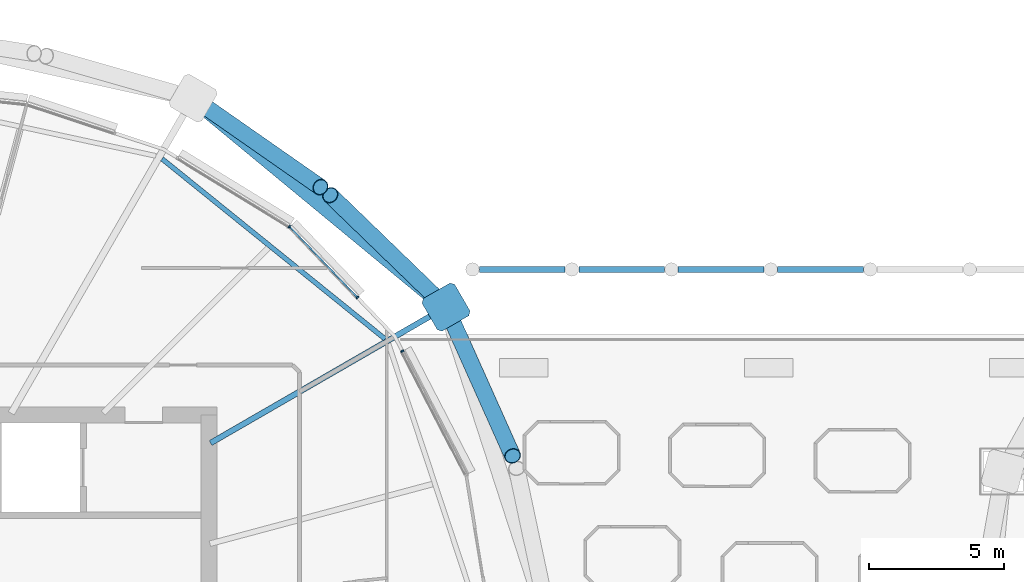
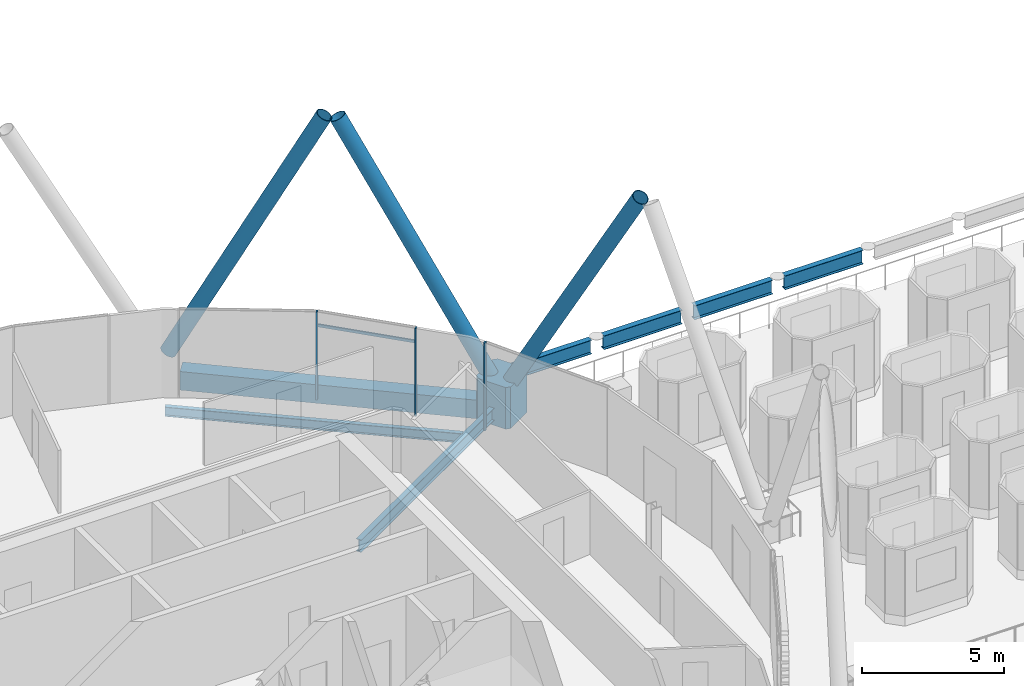
# One storey, part 12 of 38: 8 members, 7 beams, 1 element without a shape of its own.
"""IFC4 building model written with IfcOpenShell, lengths in metres."""

from ifc_helpers import new_model, si_unit, direction, frame, origin, origin_2d, place, context, subcontext, project, spatial, polyline, rectangle, hollow_rectangle, hollow_circle, i_section, outline, extrude, material, material_profile, profile_set, type_object, element, aggregate, save


model = new_model("IFC4")

# Units and contexts
model_context = context("Model", 3, precision=1e-05, world=origin(), true_north=direction((0.0, 1.0)))
body_context = subcontext(model_context, "Body", "Model", "MODEL_VIEW")
ifc_project = project(units=[si_unit("LENGTHUNIT", "METRE"), si_unit("AREAUNIT", "SQUARE_METRE"), si_unit("VOLUMEUNIT", "CUBIC_METRE"), si_unit("PLANEANGLEUNIT", "RADIAN"), si_unit("MASSUNIT", "GRAM", prefix="KILO")], contexts=[model_context])

# Site, building, storey
site_placement = place(None, origin())
site = spatial("IfcSite", under=ifc_project, at=site_placement, CompositionType="ELEMENT")
building_placement = place(site_placement, origin())
building = spatial("IfcBuilding", under=site, at=building_placement, Name="Rimbun Link Towers", CompositionType="ELEMENT")
storey_placement = place(building_placement, frame((0.0, 0.0, 158.89990234375)))
storey = spatial("IfcBuildingStorey", under=building, at=storey_placement, Name="L38", CompositionType="ELEMENT", Elevation=158.89990234375)

# Curtain wall, members
ifc_material_1 = material(Name="Aluminium 6063-T6 and low-iron glass", Category="aluminium")
curtain_wall_type = type_object("IfcCurtainWallType", Name="CW1-Z3 unitised vision wall (zone 3)", PredefinedType="NOTDEFINED", material=ifc_material_1)
curtain_wall_placement = place(storey_placement, origin())
curtain_wall = element("IfcCurtainWall", 1, at=curtain_wall_placement, inside=storey, type_object=curtain_wall_type, Name="CW1 L38 T1", PredefinedType="NOTDEFINED")
ifc_material_2 = material(Name="Aluminium 6063-T6", Category="aluminium")
ifc_material_profile_1 = material_profile(ifc_material_2, rectangle(XDim=0.1201171875, YDim=0.06005859375, at=origin_2d()), Name="MULLION 60X120")
ifc_profile_set_1 = profile_set([ifc_material_profile_1], Name="Aluminium 6063-T6")
member_type_1 = type_object("IfcMemberType", Name="CW1 mullion 60X120", PredefinedType="MULLION", material=ifc_profile_set_1)
member_1_placement = place(storey_placement, frame((-12.580810546875, 10.3720703125, 0.0), z_axis=(0.0, 0.0, 1.0), x_axis=(0.888144396677, 0.459564501078, 0.0)))
member_1 = element("IfcMember", 2, at=member_1_placement, type_object=member_type_1, Name="CW1 mullion", PredefinedType="MULLION", context=body_context, shape_type="SweptSolid", body=[
    extrude(rectangle(XDim=0.1201171875, YDim=0.06005859375, at=origin_2d()), origin(), (0.0, 0.0, 1.0), 3.800048828125),
])
member_2_placement = place(storey_placement, frame((-16.76953125, 14.989501953125, 0.0), z_axis=(0.0, 0.0, 1.0), x_axis=(0.627675785623, 0.778474860315, 0.0)))
member_2 = element("IfcMember", 3, at=member_2_placement, type_object=member_type_1, Name="CW1 mullion", PredefinedType="MULLION", context=body_context, shape_type="SweptSolid", body=[
    extrude(rectangle(XDim=0.1201171875, YDim=0.06005859375, at=origin_2d()), origin(), (0.0, 0.0, 1.0), 3.800048828125),
])
member_3_placement = place(storey_placement, frame((-14.25048828125, 12.362548828125, 0.0), z_axis=(0.0, 0.0, 1.0), x_axis=(0.721847376977, 0.692052284405, 0.0)))
member_3 = element("IfcMember", 4, at=member_3_placement, type_object=member_type_1, Name="CW1 mullion", PredefinedType="MULLION", context=body_context, shape_type="SweptSolid", body=[
    extrude(rectangle(XDim=0.1201171875, YDim=0.06005859375, at=origin_2d()), origin(), (0.0, 0.0, 1.0), 3.800048828125),
])
ifc_material_3 = material(Name="Aluminium 6063-T6", Category="aluminium")
ifc_material_profile_2 = material_profile(ifc_material_3, rectangle(XDim=0.06005859375, YDim=0.1201171875, at=origin_2d()), Name="TRANSOM 60X120")
ifc_profile_set_2 = profile_set([ifc_material_profile_2], Name="Aluminium 6063-T6")
member_type_2 = type_object("IfcMemberType", Name="CW1 transom 60X120", PredefinedType="USERDEFINED", material=ifc_profile_set_2)
member_4_placement = place(storey_placement, frame((-16.74462890625, 14.961181640625, 3.2001953125), z_axis=(0.692049349553, -0.721850190679, 0.0), x_axis=(0.721850190679, 0.692049349553, 0.0)))
member_4 = element("IfcMember", 5, at=member_4_placement, type_object=member_type_2, Name="CW1 transom", ObjectType="TRANSOM", PredefinedType="USERDEFINED", context=body_context, shape_type="SweptSolid", body=[
    extrude(rectangle(XDim=0.06005859375, YDim=0.1201171875, at=origin_2d()), origin(), (0.0, 0.0, 1.0), 3.57177734375),
])
aggregate(curtain_wall, [member_1, member_2, member_3, member_4])

# Members
ifc_material_4 = material(Name="Steel S355J2H", Category="steel")
ifc_material_profile_3 = material_profile(ifc_material_4, hollow_circle(Radius=0.3046875, WallThickness=0.02490234375, at=origin_2d()), Name="Diagrid diagonal CHS 610x25")
ifc_profile_set_3 = profile_set([ifc_material_profile_3], Name="Steel S355J2H")
member_type_3 = type_object("IfcMemberType", Name="Diagrid diagonal CHS 610x25", PredefinedType="BRACE", material=ifc_profile_set_3)
member_5_placement = place(storey_placement, frame((-10.862548828125, 11.781982421875, 0.437744140625), z_axis=(0.197341867555, -0.441089638924, 0.875497640056), x_axis=(0.912808769251, 0.408387255896, 0.0)))
element("IfcMember", 6, at=member_5_placement, inside=storey, type_object=member_type_3, Name="Diagrid diagonal T1 L38-L41 02a", PredefinedType="BRACE", context=body_context, shape_type="SweptSolid", body=[
    extrude(hollow_circle(Radius=0.3046875, WallThickness=0.02490234375, at=origin_2d()), origin(), (0.0, 0.0, 1.0), 12.021240234375),
])
member_6_placement = place(storey_placement, frame((-11.13330078125, 12.168701171875, 0.439208984375), z_axis=(-0.344019842918, 0.332712783056, 0.878039037668), x_axis=(-0.695195189217, -0.718821013111, 0.0)))
element("IfcMember", 7, at=member_6_placement, inside=storey, type_object=member_type_3, Name="Diagrid diagonal T1 L38-L41 02b", PredefinedType="BRACE", context=body_context, shape_type="SweptSolid", body=[
    extrude(hollow_circle(Radius=0.3046875, WallThickness=0.02490234375, at=origin_2d()), origin(), (0.0, 0.0, 1.0), 11.9833984375),
])
member_7_placement = place(storey_placement, frame((-20.154052734375, 19.620849609375, 0.442626953125), z_axis=(0.381742033735, -0.266440609862, 0.885032440703), x_axis=(0.572339011278, 0.820017107242, 0.0)))
element("IfcMember", 8, at=member_7_placement, inside=storey, type_object=member_type_3, Name="Diagrid diagonal T1 L38-L41 04a", PredefinedType="BRACE", context=body_context, shape_type="SweptSolid", body=[
    extrude(hollow_circle(Radius=0.3046875, WallThickness=0.02490234375, at=origin_2d()), origin(), (0.0, 0.0, 1.0), 11.880859375),
])
ifc_material_5 = material(Name="Cast steel G20Mn5+QT, Rp0.2 300 MPa", Category="steel")
ifc_material_profile_4 = material_profile(ifc_material_5, outline(polyline([(0.699951171875, -0.570068359375), (0.699951171875, 0.570068359375), (0.570068359375, 0.699951171875), (-0.570068359375, 0.699951171875), (-0.699951171875, 0.570068359375), (-0.699951171875, -0.570068359375), (-0.570068359375, -0.699951171875), (0.570068359375, -0.699951171875), (0.699951171875, -0.570068359375)])), Name="NODE 1400x1400")
ifc_profile_set_4 = profile_set([ifc_material_profile_4], Name="Cast steel G20Mn5+QT, Rp0.2 300 MPa")
member_type_4 = type_object("IfcMemberType", Name="Diagrid node cast 1400", PredefinedType="USERDEFINED", material=ifc_profile_set_4)
member_8_placement = place(storey_placement, frame((-10.961181640625, 12.00244140625, -0.89990234375), z_axis=(0.0, 0.0, 1.0), x_axis=(0.866025403784, 0.5, 0.0)))
element("IfcMember", 9, at=member_8_placement, inside=storey, type_object=member_type_4, Name="Diagrid node L38 02", ObjectType="Diagrid node", PredefinedType="USERDEFINED", context=body_context, shape_type="SweptSolid", body=[
    extrude(outline(polyline([(0.699951171875, -0.570068359375), (0.699951171875, 0.570068359375), (0.570068359375, 0.699951171875), (-0.570068359375, 0.699951171875), (-0.699951171875, 0.570068359375), (-0.699951171875, -0.570068359375), (-0.570068359375, -0.699951171875), (0.570068359375, -0.699951171875), (0.699951171875, -0.570068359375)])), origin(), (0.0, 0.0, 1.0), 1.800048828125),
])

# Beams
ifc_material_6 = material(Name="Steel S355J2", Category="steel")
ifc_material_profile_5 = material_profile(ifc_material_6, hollow_rectangle(XDim=0.60009765625, YDim=0.800048828125, WallThickness=0.0400390625, at=origin_2d()), Name="Exoskeleton ring girder BOX 600x800x40")
ifc_profile_set_5 = profile_set([ifc_material_profile_5], Name="Steel S355J2")
beam_type_1 = type_object("IfcBeamType", Name="Exoskeleton ring girder BOX 600x800x40", PredefinedType="BEAM", material=ifc_profile_set_5)
beam_1_placement = place(storey_placement, frame((-11.5009765625, 12.4482421875, -0.559814453125), z_axis=(-0.770956428944, 0.636887890189, 0.0), x_axis=(-0.636887890189, -0.770956428944, 0.0)))
element("IfcBeam", 10, at=beam_1_placement, inside=storey, type_object=beam_type_1, Name="Exoskeleton ring girder L38 01", PredefinedType="BEAM", context=body_context, shape_type="SweptSolid", body=[
    extrude(hollow_rectangle(XDim=0.60009765625, YDim=0.800048828125, WallThickness=0.0400390625, at=origin_2d()), origin(), (0.0, 0.0, 1.0), 10.771240234375),
])
ifc_material_7 = material(Name="Steel S355J2", Category="steel")
ifc_material_profile_6 = material_profile(ifc_material_7, i_section(OverallWidth=0.2275390625, OverallDepth=0.6025390625, WebThickness=0.010498046875, FlangeThickness=0.014892578125, at=origin_2d()), Name="UB 610x229x101")
ifc_profile_set_6 = profile_set([ifc_material_profile_6], Name="Steel S355J2")
beam_type_2 = type_object("IfcBeamType", Name="Link megaframe ring beam UB 610x229x101", PredefinedType="BEAM", material=ifc_profile_set_6)
beam_2_placement = place(storey_placement, frame((-9.72412109375, 13.39990234375, -0.30126953125), z_axis=(1.0, 0.0, 0.0), x_axis=(0.0, 1.0, 0.0)))
element("IfcBeam", 11, at=beam_2_placement, inside=storey, type_object=beam_type_2, Name="Link megaframe ring beam N0-1 L38", PredefinedType="BEAM", context=body_context, shape_type="SweptSolid", body=[
    extrude(i_section(OverallWidth=0.2275390625, OverallDepth=0.6025390625, WebThickness=0.010498046875, FlangeThickness=0.014892578125, at=origin_2d()), origin(), (0.0, 0.0, 1.0), 3.18212890625),
])
beam_3_placement = place(storey_placement, frame((-6.0341796875, 13.39990234375, -0.30126953125), z_axis=(1.0, 0.0, 0.0), x_axis=(0.0, 1.0, 0.0)))
element("IfcBeam", 12, at=beam_3_placement, inside=storey, type_object=beam_type_2, Name="Link megaframe ring beam N1-2 L38", PredefinedType="BEAM", context=body_context, shape_type="SweptSolid", body=[
    extrude(i_section(OverallWidth=0.2275390625, OverallDepth=0.6025390625, WebThickness=0.010498046875, FlangeThickness=0.014892578125, at=origin_2d()), origin(), (0.0, 0.0, 1.0), 3.181884765625),
])
beam_4_placement = place(storey_placement, frame((-2.34423828125, 13.39990234375, -0.30126953125), z_axis=(1.0, 0.0, 0.0), x_axis=(0.0, 1.0, 0.0)))
element("IfcBeam", 13, at=beam_4_placement, inside=storey, type_object=beam_type_2, Name="Link megaframe ring beam N2-3 L38", PredefinedType="BEAM", context=body_context, shape_type="SweptSolid", body=[
    extrude(i_section(OverallWidth=0.2275390625, OverallDepth=0.6025390625, WebThickness=0.010498046875, FlangeThickness=0.014892578125, at=origin_2d()), origin(), (0.0, 0.0, 1.0), 3.18212890625),
])
beam_5_placement = place(storey_placement, frame((1.345703125, 13.39990234375, -0.30126953125), z_axis=(1.0, 0.0, 0.0), x_axis=(0.0, 1.0, 0.0)))
element("IfcBeam", 14, at=beam_5_placement, inside=storey, type_object=beam_type_2, Name="Link megaframe ring beam N3-4 L38", PredefinedType="BEAM", context=body_context, shape_type="SweptSolid", body=[
    extrude(i_section(OverallWidth=0.2275390625, OverallDepth=0.6025390625, WebThickness=0.010498046875, FlangeThickness=0.014892578125, at=origin_2d()), origin(), (0.0, 0.0, 1.0), 3.181884765625),
])
ifc_material_8 = material(Name="Steel S355J2", Category="steel")
ifc_material_profile_7 = material_profile(ifc_material_8, i_section(OverallWidth=0.177978515625, OverallDepth=0.406494140625, WebThickness=0.0078125, FlangeThickness=0.0126953125, at=origin_2d()), Name="UB 406x178x60")
ifc_profile_set_7 = profile_set([ifc_material_profile_7], Name="Steel S355J2")
beam_type_3 = type_object("IfcBeamType", Name="UB 406x178x60", PredefinedType="BEAM", material=ifc_profile_set_7)
beam_6_placement = place(storey_placement, frame((-13.220703125, 10.81982421875, -0.35302734375), z_axis=(-0.77799683761, 0.628268191674, 0.0), x_axis=(-0.628268191674, -0.77799683761, 0.0)))
element("IfcBeam", 15, at=beam_6_placement, inside=storey, type_object=beam_type_3, Name="Edge beam T1 L38 02-04", PredefinedType="BEAM", context=body_context, shape_type="SweptSolid", body=[
    extrude(i_section(OverallWidth=0.177978515625, OverallDepth=0.406494140625, WebThickness=0.0078125, FlangeThickness=0.0126953125, at=origin_2d()), origin(), (0.0, 0.0, 1.0), 10.6376953125),
])
ifc_material_9 = material(Name="Steel S355J2", Category="steel")
ifc_material_profile_8 = material_profile(ifc_material_9, i_section(OverallWidth=0.209228515625, OverallDepth=0.533203125, WebThickness=0.010009765625, FlangeThickness=0.015625, at=origin_2d()), Name="UB 533x210x92")
ifc_profile_set_8 = profile_set([ifc_material_profile_8], Name="Steel S355J2")
beam_type_4 = type_object("IfcBeamType", Name="UB 533x210x92", PredefinedType="BEAM", material=ifc_profile_set_8)
beam_7_placement = place(storey_placement, frame((-19.69677734375, 6.958984375, -0.41650390625), z_axis=(0.866024859091, 0.500000943435, 0.0), x_axis=(-0.500000943435, 0.866024859091, 0.0)))
element("IfcBeam", 16, at=beam_7_placement, inside=storey, type_object=beam_type_4, Name="Radial beam T1 L38 02", PredefinedType="BEAM", context=body_context, shape_type="SweptSolid", body=[
    extrude(i_section(OverallWidth=0.209228515625, OverallDepth=0.533203125, WebThickness=0.010009765625, FlangeThickness=0.015625, at=origin_2d()), origin(), (0.0, 0.0, 1.0), 9.5869140625),
])

save(model, "model.ifc")
